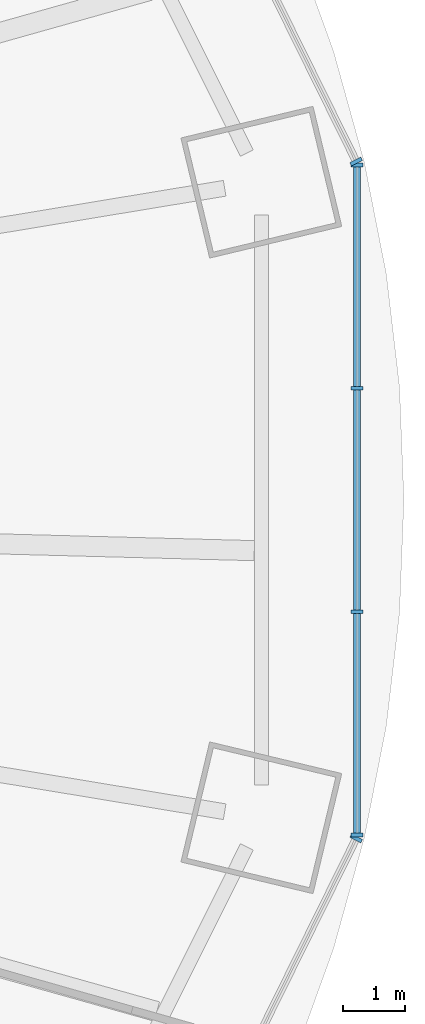
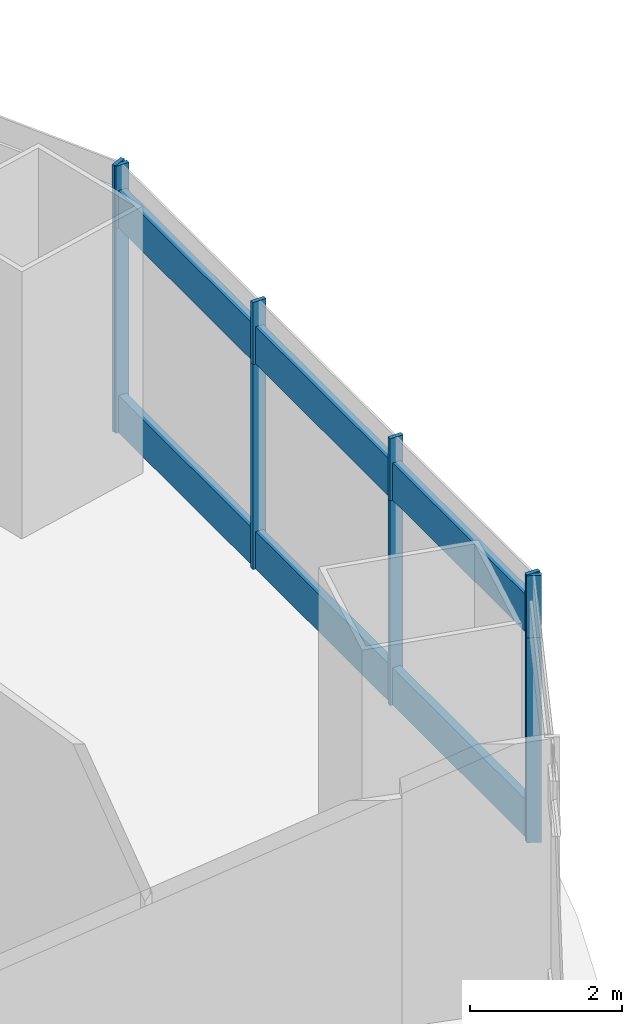
# One storey, part 10 of 17: 14 members, 6 elements without a shape of their own.
"""IFC4 building model written with IfcOpenShell, lengths in metres."""

from ifc_helpers import new_model, si_unit, direction, frame, origin, origin_2d, place, context, subcontext, project, spatial, rectangle, extrude, material, material_profile, profile_set, type_object, element, aggregate, save


model = new_model("IFC4")

# Units and contexts
model_context = context("Model", 3, precision=1e-05, world=origin(), true_north=direction((0.0, 1.0)))
body_context = subcontext(model_context, "Body", "Model", "MODEL_VIEW")
ifc_project = project(units=[si_unit("LENGTHUNIT", "METRE"), si_unit("AREAUNIT", "SQUARE_METRE"), si_unit("VOLUMEUNIT", "CUBIC_METRE"), si_unit("PLANEANGLEUNIT", "RADIAN"), si_unit("MASSUNIT", "GRAM", prefix="KILO")], contexts=[model_context])

# Site, building, storey
site_placement = place(None, origin())
site = spatial("IfcSite", under=ifc_project, at=site_placement, CompositionType="ELEMENT")
building_placement = place(site_placement, origin())
building = spatial("IfcBuilding", under=site, at=building_placement, Name="Marenthal Gate Tower", CompositionType="ELEMENT")
storey_placement = place(building_placement, frame((0.0, 0.0, 145.050048828125)))
storey = spatial("IfcBuildingStorey", under=building, at=storey_placement, Name="L31", CompositionType="ELEMENT", Elevation=145.050048828125)

# Curtain wall, member
ifc_material_1 = material(Name="Aluminium and glass", Category="aluminium")
curtain_wall_type_1 = type_object("IfcCurtainWallType", Name="Curtain wall amenity", PredefinedType="NOTDEFINED", material=ifc_material_1)
curtain_wall_1_placement = place(storey_placement, origin())
curtain_wall_1 = element("IfcCurtainWall", 1, at=curtain_wall_1_placement, inside=storey, type_object=curtain_wall_type_1, Name="Curtain wall L31 bay 1", PredefinedType="NOTDEFINED")
ifc_material_2 = material(Name="Aluminium", Category="aluminium")
ifc_material_profile_1 = material_profile(ifc_material_2, rectangle(XDim=0.199951171875, YDim=0.06005859375, at=origin_2d()), Name="60x200 aluminium mullion")
ifc_profile_set_1 = profile_set([ifc_material_profile_1], Name="Aluminium")
member_type_1 = type_object("IfcMemberType", Name="Mullion 60x200 amenity", PredefinedType="MULLION", material=ifc_profile_set_1)
member_1_placement = place(storey_placement, frame((32.68798828125, 5.48095703125, 0.0), z_axis=(0.0, 0.0, 1.0), x_axis=(-0.896573265484, -0.442895449987, 0.0)))
member_1 = element("IfcMember", 2, at=member_1_placement, type_object=member_type_1, Name="Mullion L31 bay 1.1", PredefinedType="MULLION", context=body_context, shape_type="SweptSolid", body=[
    extrude(rectangle(XDim=0.199951171875, YDim=0.06005859375, at=origin_2d()), origin(), (0.0, 0.0, 1.0), 3.300048828125),
])
aggregate(curtain_wall_1, [member_1])

curtain_wall_2_placement = place(storey_placement, origin())
curtain_wall_2 = element("IfcCurtainWall", 3, at=curtain_wall_2_placement, inside=storey, type_object=curtain_wall_type_1, Name="Curtain wall L31 bay 15", PredefinedType="NOTDEFINED")
member_2_placement = place(storey_placement, frame((32.68798828125, -5.48095703125, 0.0), z_axis=(0.0, 0.0, 1.0), x_axis=(-0.896573265484, 0.442895449987, 0.0)))
member_2 = element("IfcMember", 4, at=member_2_placement, type_object=member_type_1, Name="Mullion L31 bay 15.4", PredefinedType="MULLION", context=body_context, shape_type="SweptSolid", body=[
    extrude(rectangle(XDim=0.199951171875, YDim=0.06005859375, at=origin_2d()), origin(), (0.0, 0.0, 1.0), 3.300048828125),
])
aggregate(curtain_wall_2, [member_2])

# Curtain wall, members
curtain_wall_3_placement = place(storey_placement, origin())
curtain_wall_3 = element("IfcCurtainWall", 5, at=curtain_wall_3_placement, inside=storey, type_object=curtain_wall_type_1, Name="Curtain wall L31 bay 16", PredefinedType="NOTDEFINED")
member_3_placement = place(storey_placement, frame((32.701416015625, -5.424072265625, 0.0), z_axis=(0.0, 0.0, 1.0), x_axis=(-1.0, 0.0, 0.0)))
member_3 = element("IfcMember", 6, at=member_3_placement, type_object=member_type_1, Name="Mullion L31 bay 16.1", PredefinedType="MULLION", context=body_context, shape_type="SweptSolid", body=[
    extrude(rectangle(XDim=0.199951171875, YDim=0.06005859375, at=origin_2d()), origin(), (0.0, 0.0, 1.0), 3.300048828125),
])
member_4_placement = place(storey_placement, frame((32.701416015625, -1.80810546875, 0.0), z_axis=(0.0, 0.0, 1.0), x_axis=(-1.0, 0.0, 0.0)))
member_4 = element("IfcMember", 7, at=member_4_placement, type_object=member_type_1, Name="Mullion L31 bay 16.2", PredefinedType="MULLION", context=body_context, shape_type="SweptSolid", body=[
    extrude(rectangle(XDim=0.199951171875, YDim=0.06005859375, at=origin_2d()), origin(), (0.0, 0.0, 1.0), 3.300048828125),
])
member_5_placement = place(storey_placement, frame((32.701416015625, 1.80810546875, 0.0), z_axis=(0.0, 0.0, 1.0), x_axis=(-1.0, 0.0, 0.0)))
member_5 = element("IfcMember", 8, at=member_5_placement, type_object=member_type_1, Name="Mullion L31 bay 16.3", PredefinedType="MULLION", context=body_context, shape_type="SweptSolid", body=[
    extrude(rectangle(XDim=0.199951171875, YDim=0.06005859375, at=origin_2d()), origin(), (0.0, 0.0, 1.0), 3.300048828125),
])
member_6_placement = place(storey_placement, frame((32.701416015625, 5.424072265625, 0.0), z_axis=(0.0, 0.0, 1.0), x_axis=(-1.0, 0.0, 0.0)))
member_6 = element("IfcMember", 9, at=member_6_placement, type_object=member_type_1, Name="Mullion L31 bay 16.4", PredefinedType="MULLION", context=body_context, shape_type="SweptSolid", body=[
    extrude(rectangle(XDim=0.199951171875, YDim=0.06005859375, at=origin_2d()), origin(), (0.0, 0.0, 1.0), 3.300048828125),
])

# Curtain wall, member
ifc_material_3 = material(Name="Aluminium and glass", Category="aluminium")
curtain_wall_type_2 = type_object("IfcCurtainWallType", Name="Curtain wall crown clad", PredefinedType="NOTDEFINED", material=ifc_material_3)
curtain_wall_4_placement = place(storey_placement, origin())
curtain_wall_4 = element("IfcCurtainWall", 10, at=curtain_wall_4_placement, inside=storey, type_object=curtain_wall_type_2, Name="Curtain wall L31 bay 1 head band", PredefinedType="NOTDEFINED")
ifc_material_4 = material(Name="Aluminium", Category="aluminium")
ifc_material_profile_2 = material_profile(ifc_material_4, rectangle(XDim=0.199951171875, YDim=0.06005859375, at=origin_2d()), Name="60x200 aluminium mullion")
ifc_profile_set_2 = profile_set([ifc_material_profile_2], Name="Aluminium")
member_type_2 = type_object("IfcMemberType", Name="Mullion 60x200 crown clad", PredefinedType="MULLION", material=ifc_profile_set_2)
member_7_placement = place(storey_placement, frame((32.68798828125, 5.48095703125, 3.300048828125), z_axis=(0.0, 0.0, 1.0), x_axis=(-0.896573265484, -0.442895449987, 0.0)))
member_7 = element("IfcMember", 11, at=member_7_placement, type_object=member_type_2, Name="Mullion L31 bay 1.1", PredefinedType="MULLION", context=body_context, shape_type="SweptSolid", body=[
    extrude(rectangle(XDim=0.199951171875, YDim=0.06005859375, at=origin_2d()), origin(), (0.0, 0.0, 1.0), 1.0),
])
aggregate(curtain_wall_4, [member_7])

curtain_wall_5_placement = place(storey_placement, origin())
curtain_wall_5 = element("IfcCurtainWall", 12, at=curtain_wall_5_placement, inside=storey, type_object=curtain_wall_type_2, Name="Curtain wall L31 bay 15 head band", PredefinedType="NOTDEFINED")
member_8_placement = place(storey_placement, frame((32.68798828125, -5.48095703125, 3.300048828125), z_axis=(0.0, 0.0, 1.0), x_axis=(-0.896573265484, 0.442895449987, 0.0)))
member_8 = element("IfcMember", 13, at=member_8_placement, type_object=member_type_2, Name="Mullion L31 bay 15.4", PredefinedType="MULLION", context=body_context, shape_type="SweptSolid", body=[
    extrude(rectangle(XDim=0.199951171875, YDim=0.06005859375, at=origin_2d()), origin(), (0.0, 0.0, 1.0), 1.0),
])
aggregate(curtain_wall_5, [member_8])

# Curtain wall, members
curtain_wall_6_placement = place(storey_placement, origin())
curtain_wall_6 = element("IfcCurtainWall", 14, at=curtain_wall_6_placement, inside=storey, type_object=curtain_wall_type_2, Name="Curtain wall L31 bay 16 head band", PredefinedType="NOTDEFINED")
member_9_placement = place(storey_placement, frame((32.701416015625, -5.424072265625, 3.300048828125), z_axis=(0.0, 0.0, 1.0), x_axis=(-1.0, 0.0, 0.0)))
member_9 = element("IfcMember", 15, at=member_9_placement, type_object=member_type_2, Name="Mullion L31 bay 16.1", PredefinedType="MULLION", context=body_context, shape_type="SweptSolid", body=[
    extrude(rectangle(XDim=0.199951171875, YDim=0.06005859375, at=origin_2d()), origin(), (0.0, 0.0, 1.0), 1.0),
])
member_10_placement = place(storey_placement, frame((32.701416015625, -1.80810546875, 3.300048828125), z_axis=(0.0, 0.0, 1.0), x_axis=(-1.0, 0.0, 0.0)))
member_10 = element("IfcMember", 16, at=member_10_placement, type_object=member_type_2, Name="Mullion L31 bay 16.2", PredefinedType="MULLION", context=body_context, shape_type="SweptSolid", body=[
    extrude(rectangle(XDim=0.199951171875, YDim=0.06005859375, at=origin_2d()), origin(), (0.0, 0.0, 1.0), 1.0),
])
member_11_placement = place(storey_placement, frame((32.701416015625, 1.80810546875, 3.300048828125), z_axis=(0.0, 0.0, 1.0), x_axis=(-1.0, 0.0, 0.0)))
member_11 = element("IfcMember", 17, at=member_11_placement, type_object=member_type_2, Name="Mullion L31 bay 16.3", PredefinedType="MULLION", context=body_context, shape_type="SweptSolid", body=[
    extrude(rectangle(XDim=0.199951171875, YDim=0.06005859375, at=origin_2d()), origin(), (0.0, 0.0, 1.0), 1.0),
])
member_12_placement = place(storey_placement, frame((32.701416015625, 5.424072265625, 3.300048828125), z_axis=(0.0, 0.0, 1.0), x_axis=(-1.0, 0.0, 0.0)))
member_12 = element("IfcMember", 18, at=member_12_placement, type_object=member_type_2, Name="Mullion L31 bay 16.4", PredefinedType="MULLION", context=body_context, shape_type="SweptSolid", body=[
    extrude(rectangle(XDim=0.199951171875, YDim=0.06005859375, at=origin_2d()), origin(), (0.0, 0.0, 1.0), 1.0),
])

# Member
ifc_material_5 = material(Name="Aluminium", Category="aluminium")
ifc_material_profile_3 = material_profile(ifc_material_5, rectangle(XDim=0.1201171875, YDim=0.60009765625, at=origin_2d()), Name="120x600 aluminium transom")
ifc_profile_set_3 = profile_set([ifc_material_profile_3], Name="Aluminium")
member_type_3 = type_object("IfcMemberType", Name="Transom 120x600 amenity", PredefinedType="USERDEFINED", material=ifc_profile_set_3)
member_13_placement = place(storey_placement, frame((32.701416015625, -5.39404296875, 0.300048828125), z_axis=(0.0, 1.0, 0.0), x_axis=(-1.0, 0.0, 0.0)))
member_13 = element("IfcMember", 19, at=member_13_placement, type_object=member_type_3, Name="Transom L31 bay 16", ObjectType="TRANSOM", PredefinedType="USERDEFINED", context=body_context, shape_type="SweptSolid", body=[
    extrude(rectangle(XDim=0.1201171875, YDim=0.60009765625, at=origin_2d()), origin(), (0.0, 0.0, 1.0), 10.7880859375),
])

aggregate(curtain_wall_3, [member_3, member_4, member_5, member_6, member_13])

ifc_material_6 = material(Name="Aluminium", Category="aluminium")
ifc_material_profile_4 = material_profile(ifc_material_6, rectangle(XDim=0.1201171875, YDim=0.60009765625, at=origin_2d()), Name="120x600 aluminium transom")
ifc_profile_set_4 = profile_set([ifc_material_profile_4], Name="Aluminium")
member_type_4 = type_object("IfcMemberType", Name="Transom 120x600 crown clad", PredefinedType="USERDEFINED", material=ifc_profile_set_4)
member_14_placement = place(storey_placement, frame((32.701416015625, -5.39404296875, 3.599853515625), z_axis=(0.0, 1.0, 0.0), x_axis=(-1.0, 0.0, 0.0)))
member_14 = element("IfcMember", 20, at=member_14_placement, type_object=member_type_4, Name="Transom L31 bay 16", ObjectType="TRANSOM", PredefinedType="USERDEFINED", context=body_context, shape_type="SweptSolid", body=[
    extrude(rectangle(XDim=0.1201171875, YDim=0.60009765625, at=origin_2d()), origin(), (0.0, 0.0, 1.0), 10.7880859375),
])

aggregate(curtain_wall_6, [member_9, member_10, member_11, member_12, member_14])

save(model, "model.ifc")
